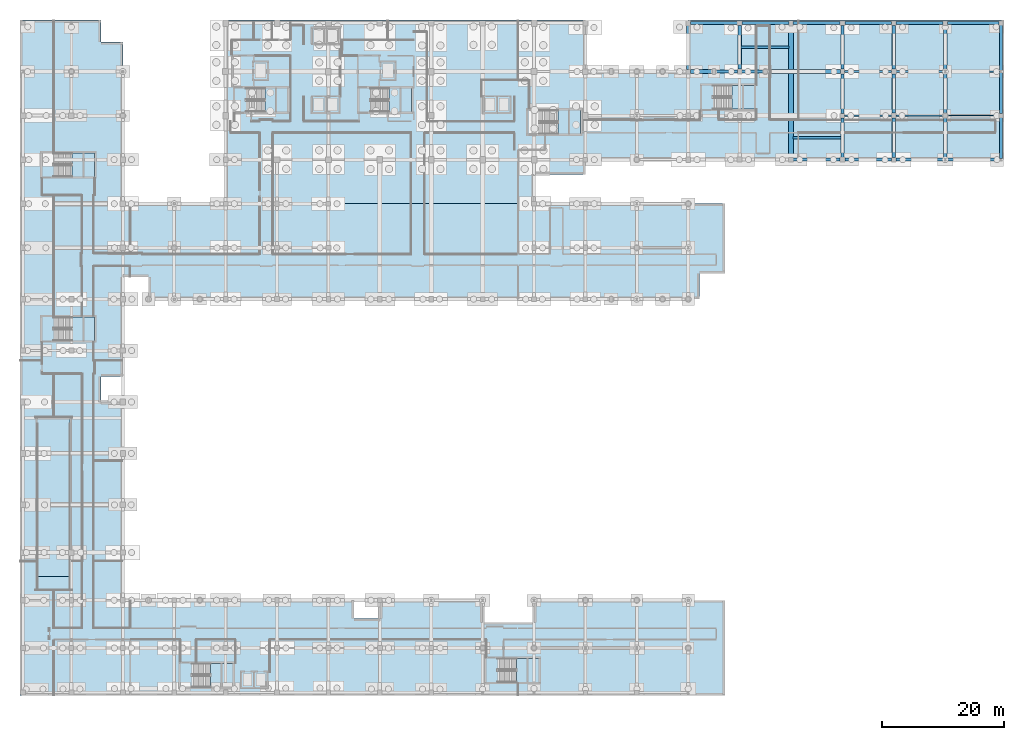
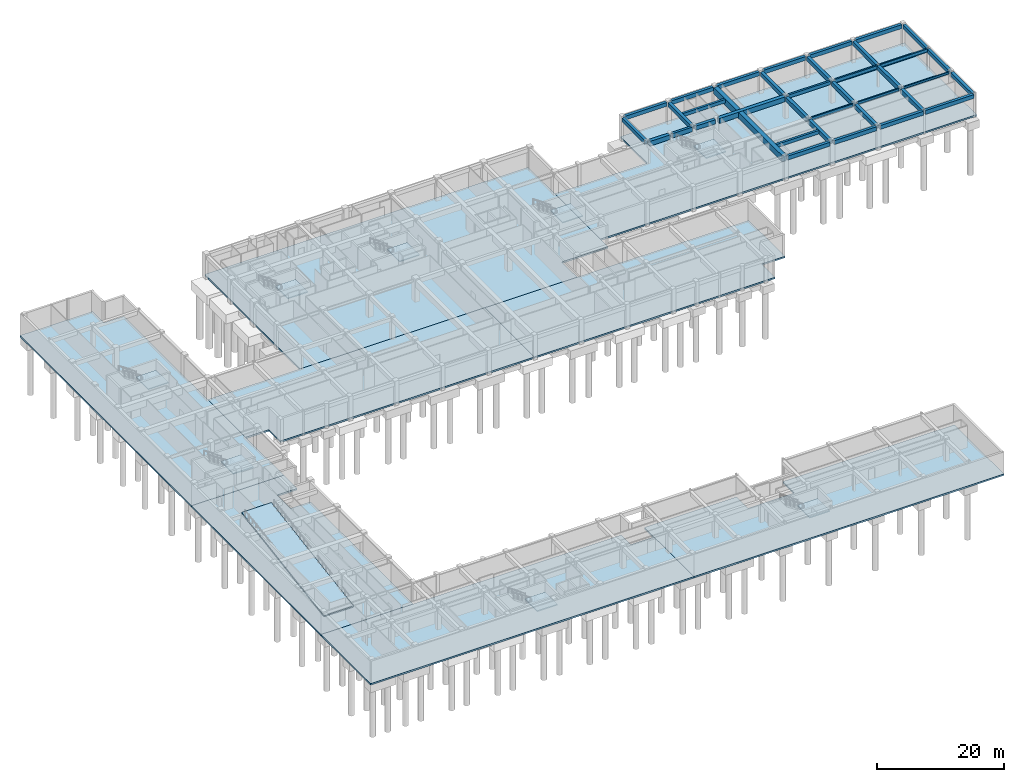
# One storey, part 22 of 42: 37 beams, 17 slabs, 8 elements without a shape of their own.
"""IFC4 building model written with IfcOpenShell, lengths in metres."""

from ifc_helpers import new_model, si_unit, direction, frame, origin, origin_2d, place, context, subcontext, project, spatial, polyline, rectangle, i_section, outline, extrude, material, layer, layer_set, material_profile, profile_set, type_object, element, aggregate, save


model = new_model("IFC4")

# Units and contexts
model_context = context("Model", 3, precision=1e-05, world=origin(), true_north=direction((0.0, 1.0)))
body_context = subcontext(model_context, "Body", "Model", "MODEL_VIEW")
ifc_project = project(units=[si_unit("LENGTHUNIT", "METRE"), si_unit("AREAUNIT", "SQUARE_METRE"), si_unit("VOLUMEUNIT", "CUBIC_METRE"), si_unit("PLANEANGLEUNIT", "RADIAN"), si_unit("MASSUNIT", "GRAM", prefix="KILO")], contexts=[model_context])

# Site, building, storey
site_placement = place(None, origin())
site = spatial("IfcSite", under=ifc_project, at=site_placement, CompositionType="ELEMENT")
building_placement = place(site_placement, origin())
building = spatial("IfcBuilding", under=site, at=building_placement, Name="Quendrovan Civic Courthouse", CompositionType="ELEMENT")
storey_placement = place(building_placement, frame((0.0, 0.0, -4.5)))
storey = spatial("IfcBuildingStorey", under=building, at=storey_placement, Name="B1", CompositionType="ELEMENT", Elevation=-4.5)

# Beams
ifc_material_1 = material(Name="Post-tensioned concrete C50/60", Category="concrete")
ifc_material_profile_1 = material_profile(ifc_material_1, rectangle(XDim=0.75, YDim=1.199951171875, at=origin_2d()), Name="PT-GIRD-750x1200")
ifc_profile_set_1 = profile_set([ifc_material_profile_1], Name="Post-tensioned concrete C50/60")
beam_type_1 = type_object("IfcBeamType", Name="BM-PT1200", PredefinedType="BEAM", material=ifc_profile_set_1)
beam_1_placement = place(storey_placement, frame((126.0, 87.955078125, 3.6201171875), z_axis=(0.0, 1.0, 0.0), x_axis=(-1.0, 0.0, 0.0)))
element("IfcBeam", 1, at=beam_1_placement, inside=storey, type_object=beam_type_1, Name="B1 Girder Y0222", PredefinedType="BEAM", context=body_context, shape_type="SweptSolid", body=[
    extrude(rectangle(XDim=0.75, YDim=1.199951171875, at=origin_2d()), origin(), (0.0, 0.0, 1.0), 21.5400390625),
])
ifc_material_profile_2 = material_profile(ifc_material_1, rectangle(XDim=0.64990234375, YDim=0.949951171875, at=origin_2d()), Name="PT-GIRD-650x950")
ifc_profile_set_2 = profile_set([ifc_material_profile_2], Name="Post-tensioned concrete C50/60")
beam_type_2 = type_object("IfcBeamType", Name="BM-PT950", PredefinedType="BEAM", material=ifc_profile_set_2)
beam_2_placement = place(storey_placement, frame((122.155029296875, 102.0, 3.7451171875), z_axis=(1.0, 0.0, 0.0), x_axis=(0.0, 1.0, 0.0)))
element("IfcBeam", 2, at=beam_2_placement, inside=storey, type_object=beam_type_2, Name="B1 Girder X0114", PredefinedType="BEAM", context=body_context, shape_type="SweptSolid", body=[
    extrude(rectangle(XDim=0.64990234375, YDim=0.949951171875, at=origin_2d()), origin(), (0.0, 0.0, 1.0), 11.9150390625),
])
ifc_material_2 = material(Name="Concrete C40/50", Category="concrete")
ifc_material_profile_3 = material_profile(ifc_material_2, rectangle(XDim=0.39990234375, YDim=0.64990234375, at=origin_2d()), Name="RC-BM-400x650")
ifc_profile_set_3 = profile_set([ifc_material_profile_3], Name="Concrete C40/50")
beam_type_3 = type_object("IfcBeamType", Name="BM-RC650", PredefinedType="JOIST", material=ifc_profile_set_3)
for number, where, z_axis, x_axis, name in (
    (3, (117.85498046875, 105.949951171875, 3.89501953125), (1.0, 0.0, 0.0), (0.0, 1.0, 0.0), "B1 Secondary Joist 0235"),
    (4, (126.35498046875, 91.21240234375, 3.89501953125), (1.0, 0.0, 0.0), (0.0, 1.0, 0.0), "B1 Secondary Joist 0236"),
):
    element("IfcBeam", number, at=place(storey_placement, frame(where, z_axis=z_axis, x_axis=x_axis)), inside=storey, type_object=beam_type_3, Name=name, PredefinedType="JOIST", context=body_context, shape_type="SweptSolid", body=[
        extrude(rectangle(XDim=0.39990234375, YDim=0.64990234375, at=origin_2d()), origin(), (0.0, 0.0, 1.0), 7.7900390625),
    ])
ifc_material_profile_4 = material_profile(ifc_material_2, rectangle(XDim=0.35009765625, YDim=0.64990234375, at=origin_2d()), Name="RC-BM-350x650")
ifc_profile_set_4 = profile_set([ifc_material_profile_4], Name="Concrete C40/50")
beam_type_4 = type_object("IfcBeamType", Name="BM-RC650B", PredefinedType="BEAM", material=ifc_profile_set_4)
beam_3_placement = place(storey_placement, frame((134.72998046875, 102.0, 3.89501953125), z_axis=(1.0, 0.0, 0.0), x_axis=(0.0, 1.0, 0.0)))
element("IfcBeam", 5, at=beam_3_placement, inside=storey, type_object=beam_type_4, Name="B1 Girder X0115", PredefinedType="BEAM", context=body_context, shape_type="SweptSolid", body=[
    extrude(rectangle(XDim=0.35009765625, YDim=0.64990234375, at=origin_2d()), origin(), (0.0, 0.0, 1.0), 7.68994140625),
])
ifc_material_profile_5 = material_profile(ifc_material_2, rectangle(XDim=0.5, YDim=0.75, at=origin_2d()), Name="RC-BM-500x750")
ifc_profile_set_5 = profile_set([ifc_material_profile_5], Name="Concrete C40/50")
beam_type_5 = type_object("IfcBeamType", Name="BM-RC750", PredefinedType="SPANDREL", material=ifc_profile_set_5)
for number, where, z_axis, x_axis, name in (
    (6, (126.35498046875, 87.60009765625, 3.844970703125), (1.0, 0.0, 0.0), (0.0, 1.0, 0.0), "B1 Girder X0088"),
    (7, (134.780029296875, 87.60009765625, 3.844970703125), (1.0, 0.0, 0.0), (0.0, 1.0, 0.0), "B1 Girder X0089"),
):
    element("IfcBeam", number, at=place(storey_placement, frame(where, z_axis=z_axis, x_axis=x_axis)), inside=storey, type_object=beam_type_5, Name=name, PredefinedType="SPANDREL", context=body_context, shape_type="SweptSolid", body=[
        extrude(rectangle(XDim=0.5, YDim=0.75, at=origin_2d()), origin(), (0.0, 0.0, 1.0), 7.6650390625),
    ])
beam_4_placement = place(storey_placement, frame((143.155029296875, 87.60009765625, 3.844970703125), z_axis=(1.0, 0.0, 0.0), x_axis=(0.0, 1.0, 0.0)))
element("IfcBeam", 8, at=beam_4_placement, inside=storey, type_object=beam_type_5, Name="B1 Girder X0090", PredefinedType="SPANDREL", context=body_context, shape_type="SweptSolid", body=[
    extrude(rectangle(XDim=0.5, YDim=0.75, at=origin_2d()), origin(), (0.0, 0.0, 1.0), 7.8779296875),
])
beam_5_placement = place(storey_placement, frame((151.366943359375, 87.60009765625, 3.844970703125), z_axis=(1.0, 0.0, 0.0), x_axis=(0.0, 1.0, 0.0)))
element("IfcBeam", 9, at=beam_5_placement, inside=storey, type_object=beam_type_5, Name="B1 Girder X0091", PredefinedType="SPANDREL", context=body_context, shape_type="SweptSolid", body=[
    extrude(rectangle(XDim=0.5, YDim=0.75, at=origin_2d()), origin(), (0.0, 0.0, 1.0), 8.76611328125),
])
for number, where, z_axis, x_axis, name in (
    (10, (109.530029296875, 109.89990234375, 3.844970703125), (1.0, 0.0, 0.0), (0.0, 1.0, 0.0), "B1 Girder X0125"),
    (11, (117.97998046875, 109.89990234375, 3.844970703125), (1.0, 0.0, 0.0), (0.0, 1.0, 0.0), "B1 Girder X0126"),
    (12, (126.330078125, 109.89990234375, 3.844970703125), (1.0, 0.0, 0.0), (0.0, 1.0, 0.0), "B1 Girder X0127"),
):
    element("IfcBeam", number, at=place(storey_placement, frame(where, z_axis=z_axis, x_axis=x_axis)), inside=storey, type_object=beam_type_5, Name=name, PredefinedType="SPANDREL", context=body_context, shape_type="SweptSolid", body=[
        extrude(rectangle(XDim=0.5, YDim=0.75, at=origin_2d()), origin(), (0.0, 0.0, 1.0), 7.68994140625),
    ])
beam_6_placement = place(storey_placement, frame((134.780029296875, 109.89990234375, 3.844970703125), z_axis=(1.0, 0.0, 0.0), x_axis=(0.0, 1.0, 0.0)))
element("IfcBeam", 13, at=beam_6_placement, inside=storey, type_object=beam_type_5, Name="B1 Girder X0128", PredefinedType="SPANDREL", context=body_context, shape_type="SweptSolid", body=[
    extrude(rectangle(XDim=0.5, YDim=0.75, at=origin_2d()), origin(), (0.0, 0.0, 1.0), 7.6650390625),
])
beam_7_placement = place(storey_placement, frame((143.155029296875, 109.89990234375, 3.844970703125), z_axis=(1.0, 0.0, 0.0), x_axis=(0.0, 1.0, 0.0)))
element("IfcBeam", 14, at=beam_7_placement, inside=storey, type_object=beam_type_5, Name="B1 Girder X0129", PredefinedType="SPANDREL", context=body_context, shape_type="SweptSolid", body=[
    extrude(rectangle(XDim=0.5, YDim=0.75, at=origin_2d()), origin(), (0.0, 0.0, 1.0), 7.715087890625),
])
beam_8_placement = place(storey_placement, frame((151.530029296875, 109.89990234375, 3.844970703125), z_axis=(1.0, 0.0, 0.0), x_axis=(0.0, 1.0, 0.0)))
element("IfcBeam", 15, at=beam_8_placement, inside=storey, type_object=beam_type_5, Name="B1 Girder X0130", PredefinedType="SPANDREL", context=body_context, shape_type="SweptSolid", body=[
    extrude(rectangle(XDim=0.5, YDim=0.75, at=origin_2d()), origin(), (0.0, 0.0, 1.0), 8.43994140625),
])
beam_9_placement = place(storey_placement, frame((109.199951171875, 102.35498046875, 3.844970703125), z_axis=(0.0, 1.0, 0.0), x_axis=(-1.0, 0.0, 0.0)))
element("IfcBeam", 16, at=beam_9_placement, inside=storey, type_object=beam_type_5, Name="B1 Girder Y0219", PredefinedType="SPANDREL", context=body_context, shape_type="SweptSolid", body=[
    extrude(rectangle(XDim=0.5, YDim=0.75, at=origin_2d()), origin(), (0.0, 0.0, 1.0), 7.14013671875),
])
beam_10_placement = place(storey_placement, frame((160.300048828125, 87.76611328125, 3.844970703125), z_axis=(0.0, 1.0, 0.0), x_axis=(-1.0, 0.0, 0.0)))
element("IfcBeam", 17, at=beam_10_placement, inside=storey, type_object=beam_type_5, Name="B1 Girder Y0232", PredefinedType="SPANDREL", context=body_context, shape_type="SweptSolid", body=[
    extrude(rectangle(XDim=0.5, YDim=0.75, at=origin_2d()), origin(), (0.0, 0.0, 1.0), 6.703857421875),
])
beam_11_placement = place(storey_placement, frame((160.300048828125, 95.1298828125, 3.844970703125), z_axis=(0.0, 1.0, 0.0), x_axis=(-1.0, 0.0, 0.0)))
element("IfcBeam", 18, at=beam_11_placement, inside=storey, type_object=beam_type_5, Name="B1 Girder Y0233", PredefinedType="SPANDREL", context=body_context, shape_type="SweptSolid", body=[
    extrude(rectangle(XDim=0.5, YDim=0.75, at=origin_2d()), origin(), (0.0, 0.0, 1.0), 6.7041015625),
])
beam_12_placement = place(storey_placement, frame((160.300048828125, 102.166015625, 3.844970703125), z_axis=(0.0, 1.0, 0.0), x_axis=(-1.0, 0.0, 0.0)))
element("IfcBeam", 19, at=beam_12_placement, inside=storey, type_object=beam_type_5, Name="B1 Girder Y0234", PredefinedType="SPANDREL", context=body_context, shape_type="SweptSolid", body=[
    extrude(rectangle(XDim=0.5, YDim=0.75, at=origin_2d()), origin(), (0.0, 0.0, 1.0), 7.404052734375),
])
ifc_material_profile_6 = material_profile(ifc_material_2, rectangle(XDim=0.550048828125, YDim=0.800048828125, at=origin_2d()), Name="RC-BM-550x800")
ifc_profile_set_6 = profile_set([ifc_material_profile_6], Name="Concrete C40/50")
beam_type_6 = type_object("IfcBeamType", Name="BM-RC800", PredefinedType="BEAM", material=ifc_profile_set_6)
beam_13_placement = place(storey_placement, frame((117.929931640625, 102.0, 3.820068359375), z_axis=(1.0, 0.0, 0.0), x_axis=(0.0, 1.0, 0.0)))
element("IfcBeam", 20, at=beam_13_placement, inside=storey, type_object=beam_type_6, Name="B1 Girder X0113", PredefinedType="BEAM", context=body_context, shape_type="SweptSolid", body=[
    extrude(rectangle(XDim=0.550048828125, YDim=0.800048828125, at=origin_2d()), origin(), (0.0, 0.0, 1.0), 3.51513671875),
])
beam_14_placement = place(storey_placement, frame((117.60009765625, 102.405029296875, 3.820068359375), z_axis=(0.0, 1.0, 0.0), x_axis=(-1.0, 0.0, 0.0)))
element("IfcBeam", 21, at=beam_14_placement, inside=storey, type_object=beam_type_6, Name="B1 Girder Y0221", PredefinedType="BEAM", context=body_context, shape_type="SweptSolid", body=[
    extrude(rectangle(XDim=0.550048828125, YDim=0.800048828125, at=origin_2d()), origin(), (0.0, 0.0, 1.0), 7.114990234375),
])
beam_15_placement = place(storey_placement, frame((134.39990234375, 87.97998046875, 3.820068359375), z_axis=(0.0, 1.0, 0.0), x_axis=(-1.0, 0.0, 0.0)))
element("IfcBeam", 22, at=beam_15_placement, inside=storey, type_object=beam_type_6, Name="B1 Girder Y0223", PredefinedType="BEAM", context=body_context, shape_type="SweptSolid", body=[
    extrude(rectangle(XDim=0.550048828125, YDim=0.800048828125, at=origin_2d()), origin(), (0.0, 0.0, 1.0), 6.465087890625),
])
beam_16_placement = place(storey_placement, frame((134.39990234375, 95.155029296875, 3.820068359375), z_axis=(0.0, 1.0, 0.0), x_axis=(-1.0, 0.0, 0.0)))
element("IfcBeam", 23, at=beam_16_placement, inside=storey, type_object=beam_type_6, Name="B1 Girder Y0224", PredefinedType="BEAM", context=body_context, shape_type="SweptSolid", body=[
    extrude(rectangle(XDim=0.550048828125, YDim=0.800048828125, at=origin_2d()), origin(), (0.0, 0.0, 1.0), 6.43994140625),
])
beam_17_placement = place(storey_placement, frame((134.39990234375, 102.405029296875, 3.820068359375), z_axis=(0.0, 1.0, 0.0), x_axis=(-1.0, 0.0, 0.0)))
element("IfcBeam", 24, at=beam_17_placement, inside=storey, type_object=beam_type_6, Name="B1 Girder Y0225", PredefinedType="BEAM", context=body_context, shape_type="SweptSolid", body=[
    extrude(rectangle(XDim=0.550048828125, YDim=0.800048828125, at=origin_2d()), origin(), (0.0, 0.0, 1.0), 7.114990234375),
])
beam_18_placement = place(storey_placement, frame((142.800048828125, 87.955078125, 3.820068359375), z_axis=(0.0, 1.0, 0.0), x_axis=(-1.0, 0.0, 0.0)))
element("IfcBeam", 25, at=beam_18_placement, inside=storey, type_object=beam_type_6, Name="B1 Girder Y0226", PredefinedType="BEAM", context=body_context, shape_type="SweptSolid", body=[
    extrude(rectangle(XDim=0.550048828125, YDim=0.800048828125, at=origin_2d()), origin(), (0.0, 0.0, 1.0), 6.43994140625),
])
beam_19_placement = place(storey_placement, frame((142.800048828125, 95.205078125, 3.820068359375), z_axis=(0.0, 1.0, 0.0), x_axis=(-1.0, 0.0, 0.0)))
element("IfcBeam", 26, at=beam_19_placement, inside=storey, type_object=beam_type_6, Name="B1 Girder Y0227", PredefinedType="BEAM", context=body_context, shape_type="SweptSolid", body=[
    extrude(rectangle(XDim=0.550048828125, YDim=0.800048828125, at=origin_2d()), origin(), (0.0, 0.0, 1.0), 6.4150390625),
])
beam_20_placement = place(storey_placement, frame((142.800048828125, 102.3798828125, 3.820068359375), z_axis=(0.0, 1.0, 0.0), x_axis=(-1.0, 0.0, 0.0)))
element("IfcBeam", 27, at=beam_20_placement, inside=storey, type_object=beam_type_6, Name="B1 Girder Y0228", PredefinedType="BEAM", context=body_context, shape_type="SweptSolid", body=[
    extrude(rectangle(XDim=0.550048828125, YDim=0.800048828125, at=origin_2d()), origin(), (0.0, 0.0, 1.0), 7.1650390625),
])
beam_21_placement = place(storey_placement, frame((151.199951171875, 87.76611328125, 3.820068359375), z_axis=(0.0, 1.0, 0.0), x_axis=(-1.0, 0.0, 0.0)))
element("IfcBeam", 28, at=beam_21_placement, inside=storey, type_object=beam_type_6, Name="B1 Girder Y0229", PredefinedType="BEAM", context=body_context, shape_type="SweptSolid", body=[
    extrude(rectangle(XDim=0.550048828125, YDim=0.800048828125, at=origin_2d()), origin(), (0.0, 0.0, 1.0), 6.703857421875),
])
beam_22_placement = place(storey_placement, frame((151.199951171875, 95.1298828125, 3.820068359375), z_axis=(0.0, 1.0, 0.0), x_axis=(-1.0, 0.0, 0.0)))
element("IfcBeam", 29, at=beam_22_placement, inside=storey, type_object=beam_type_6, Name="B1 Girder Y0230", PredefinedType="BEAM", context=body_context, shape_type="SweptSolid", body=[
    extrude(rectangle(XDim=0.550048828125, YDim=0.800048828125, at=origin_2d()), origin(), (0.0, 0.0, 1.0), 6.7041015625),
])
beam_23_placement = place(storey_placement, frame((151.199951171875, 102.166015625, 3.820068359375), z_axis=(0.0, 1.0, 0.0), x_axis=(-1.0, 0.0, 0.0)))
element("IfcBeam", 30, at=beam_23_placement, inside=storey, type_object=beam_type_6, Name="B1 Girder Y0231", PredefinedType="BEAM", context=body_context, shape_type="SweptSolid", body=[
    extrude(rectangle(XDim=0.550048828125, YDim=0.800048828125, at=origin_2d()), origin(), (0.0, 0.0, 1.0), 7.404052734375),
])
ifc_material_3 = material(Name="Concrete C45/55", Category="concrete")
ifc_material_profile_7 = material_profile(ifc_material_3, rectangle(XDim=0.449951171875, YDim=0.85009765625, at=origin_2d()), Name="RC-BM-450x850")
ifc_profile_set_7 = profile_set([ifc_material_profile_7], Name="Concrete C45/55")
beam_type_7 = type_object("IfcBeamType", Name="BM-RC850", PredefinedType="BEAM", material=ifc_profile_set_7)
beam_24_placement = place(storey_placement, frame((113.655029296875, 102.0, 3.794921875), z_axis=(1.0, 0.0, 0.0), x_axis=(0.0, 1.0, 0.0)))
element("IfcBeam", 31, at=beam_24_placement, inside=storey, type_object=beam_type_7, Name="B1 Girder X0112", PredefinedType="BEAM", context=body_context, shape_type="SweptSolid", body=[
    extrude(rectangle(XDim=0.449951171875, YDim=0.85009765625, at=origin_2d()), origin(), (0.0, 0.0, 1.0), 3.614990234375),
])
ifc_material_profile_8 = material_profile(ifc_material_2, rectangle(XDim=0.60009765625, YDim=0.89990234375, at=origin_2d()), Name="RC-BM-600x900")
ifc_profile_set_8 = profile_set([ifc_material_profile_8], Name="Concrete C40/50")
beam_type_8 = type_object("IfcBeamType", Name="BM-RC900", PredefinedType="BEAM", material=ifc_profile_set_8)
beam_25_placement = place(storey_placement, frame((109.554931640625, 102.0, 3.77001953125), z_axis=(1.0, 0.0, 0.0), x_axis=(0.0, 1.0, 0.0)))
element("IfcBeam", 32, at=beam_25_placement, inside=storey, type_object=beam_type_8, Name="B1 Girder X0111", PredefinedType="BEAM", context=body_context, shape_type="SweptSolid", body=[
    extrude(rectangle(XDim=0.60009765625, YDim=0.89990234375, at=origin_2d()), origin(), (0.0, 0.0, 1.0), 3.590087890625),
])
ifc_material_4 = material(Name="Steel ASTM A992 Grade 50", Category="steel")
ifc_material_profile_9 = material_profile(ifc_material_4, i_section(OverallWidth=0.18994140625, OverallDepth=0.45703125, WebThickness=0.009033203125, FlangeThickness=0.014404296875, at=origin_2d()), Name="W18X50")
ifc_profile_set_9 = profile_set([ifc_material_profile_9], Name="Steel ASTM A992 Grade 50")
beam_type_9 = type_object("IfcBeamType", Name="BM-STL-W18", PredefinedType="JOIST", material=ifc_profile_set_9)
beam_26_placement = place(storey_placement, frame((151.530029296875, 94.800048828125, 3.991455078125), z_axis=(1.0, 0.0, 0.0), x_axis=(0.0, 1.0, 0.0)))
element("IfcBeam", 33, at=beam_26_placement, inside=storey, type_object=beam_type_9, Name="B1 Girder X0100", PredefinedType="JOIST", context=body_context, shape_type="SweptSolid", body=[
    extrude(i_section(OverallWidth=0.18994140625, OverallDepth=0.45703125, WebThickness=0.009033203125, FlangeThickness=0.014404296875, at=origin_2d()), origin(), (0.0, 0.0, 1.0), 8.43994140625),
])
ifc_material_profile_10 = material_profile(ifc_material_4, i_section(OverallWidth=0.208984375, OverallDepth=0.532958984375, WebThickness=0.01025390625, FlangeThickness=0.015625, at=origin_2d()), Name="W21X62")
ifc_profile_set_10 = profile_set([ifc_material_profile_10], Name="Steel ASTM A992 Grade 50")
beam_type_10 = type_object("IfcBeamType", Name="BM-STL-W21", PredefinedType="JOIST", material=ifc_profile_set_10)
beam_27_placement = place(storey_placement, frame((143.1298828125, 94.800048828125, 3.95361328125), z_axis=(1.0, 0.0, 0.0), x_axis=(0.0, 1.0, 0.0)))
element("IfcBeam", 34, at=beam_27_placement, inside=storey, type_object=beam_type_10, Name="B1 Girder X0099", PredefinedType="JOIST", context=body_context, shape_type="SweptSolid", body=[
    extrude(i_section(OverallWidth=0.208984375, OverallDepth=0.532958984375, WebThickness=0.01025390625, FlangeThickness=0.015625, at=origin_2d()), origin(), (0.0, 0.0, 1.0), 7.740234375),
])
ifc_material_profile_11 = material_profile(ifc_material_4, i_section(OverallWidth=0.22802734375, OverallDepth=0.60693359375, WebThickness=0.01123046875, FlangeThickness=0.017333984375, at=origin_2d()), Name="W24X76")
ifc_profile_set_11 = profile_set([ifc_material_profile_11], Name="Steel ASTM A992 Grade 50")
beam_type_11 = type_object("IfcBeamType", Name="BM-STL-W24", PredefinedType="BEAM", material=ifc_profile_set_11)
beam_28_placement = place(storey_placement, frame((134.7548828125, 94.800048828125, 3.91650390625), z_axis=(1.0, 0.0, 0.0), x_axis=(0.0, 1.0, 0.0)))
element("IfcBeam", 35, at=beam_28_placement, inside=storey, type_object=beam_type_11, Name="B1 Girder X0098", PredefinedType="BEAM", context=body_context, shape_type="SweptSolid", body=[
    extrude(i_section(OverallWidth=0.22802734375, OverallDepth=0.60693359375, WebThickness=0.01123046875, FlangeThickness=0.017333984375, at=origin_2d()), origin(), (0.0, 0.0, 1.0), 7.715087890625),
])
ifc_material_profile_12 = material_profile(ifc_material_4, i_section(OverallWidth=0.25390625, OverallDepth=0.68408203125, WebThickness=0.012451171875, FlangeThickness=0.018798828125, at=origin_2d()), Name="W27X94")
ifc_profile_set_12 = profile_set([ifc_material_profile_12], Name="Steel ASTM A992 Grade 50")
beam_type_12 = type_object("IfcBeamType", Name="BM-STL-W27", PredefinedType="BEAM", material=ifc_profile_set_12)
beam_29_placement = place(storey_placement, frame((151.366943359375, 102.0, 3.8779296875), z_axis=(1.0, 0.0, 0.0), x_axis=(0.0, 1.0, 0.0)))
element("IfcBeam", 36, at=beam_29_placement, inside=storey, type_object=beam_type_12, Name="B1 Girder X0117", PredefinedType="BEAM", context=body_context, shape_type="SweptSolid", body=[
    extrude(i_section(OverallWidth=0.25390625, OverallDepth=0.68408203125, WebThickness=0.012451171875, FlangeThickness=0.018798828125, at=origin_2d()), origin(), (0.0, 0.0, 1.0), 8.76611328125),
])
ifc_material_profile_13 = material_profile(ifc_material_4, i_section(OverallWidth=0.26611328125, OverallDepth=0.758056640625, WebThickness=0.013916015625, FlangeThickness=0.019287109375, at=origin_2d()), Name="W30X108")
ifc_profile_set_13 = profile_set([ifc_material_profile_13], Name="Steel ASTM A992 Grade 50")
beam_type_13 = type_object("IfcBeamType", Name="BM-STL-W30", PredefinedType="BEAM", material=ifc_profile_set_13)
beam_30_placement = place(storey_placement, frame((143.179931640625, 102.0, 3.841064453125), z_axis=(1.0, 0.0, 0.0), x_axis=(0.0, 1.0, 0.0)))
element("IfcBeam", 37, at=beam_30_placement, inside=storey, type_object=beam_type_13, Name="B1 Girder X0116", PredefinedType="BEAM", context=body_context, shape_type="SweptSolid", body=[
    extrude(i_section(OverallWidth=0.26611328125, OverallDepth=0.758056640625, WebThickness=0.013916015625, FlangeThickness=0.019287109375, at=origin_2d()), origin(), (0.0, 0.0, 1.0), 7.85302734375),
])

# Slabs
ifc_material_5 = material(Name="Concrete C35/45", Category="concrete")
ifc_layer_1 = layer(ifc_material_5, 0.300048828125, Name="Concrete C35/45")
ifc_layer_set_1 = layer_set([ifc_layer_1], Name="Concrete C35/45")
slab_type_1 = type_object("IfcSlabType", Name="SLB-BASE-300", PredefinedType="BASESLAB", material=ifc_layer_set_1)
slab_1_placement = place(storey_placement, frame((0.0, 0.0, -0.300048828125)))
element("IfcSlab", 38, at=slab_1_placement, inside=storey, type_object=slab_type_1, Name="B1 Structural Floor Slab V5W", PredefinedType="BASESLAB", context=body_context, shape_type="SweptSolid", body=[
    extrude(outline(polyline([(58.800048828125, 0.0), (0.0, 0.0), (0.0, 15.60009765625), (54.60009765625, 15.60009765625), (54.60009765625, 12.60009765625), (58.800048828125, 12.60009765625), (58.800048828125, 0.0)])), origin(), (0.0, 0.0, 1.0), 0.300048828125),
])
slab_2_placement = place(storey_placement, frame((0.0, 0.0, -0.300048828125)))
element("IfcSlab", 39, at=slab_2_placement, inside=storey, type_object=slab_type_1, Name="B1 Structural Floor Slab V5E", PredefinedType="BASESLAB", context=body_context, shape_type="SweptSolid", body=[
    extrude(outline(polyline([(115.199951171875, 15.60009765625), (115.199951171875, 0.0), (58.800048828125, 0.0), (58.800048828125, 15.60009765625), (75.60009765625, 15.60009765625), (75.60009765625, 12.0), (84.0, 12.0), (84.0, 15.60009765625), (115.199951171875, 15.60009765625)])), origin(), (0.0, 0.0, 1.0), 0.300048828125),
])
slab_3_placement = place(storey_placement, frame((0.0, 0.0, -0.300048828125)))
element("IfcSlab", 40, at=slab_3_placement, inside=storey, type_object=slab_type_1, Name="B1 Structural Floor Slab V4S", PredefinedType="BASESLAB", context=body_context, shape_type="SweptSolid", body=[
    extrude(outline(polyline([(16.800048828125, 15.60009765625), (0.0, 15.60009765625), (0.0, 56.39990234375), (16.800048828125, 56.39990234375), (16.800048828125, 52.199951171875), (13.199951171875, 52.199951171875), (13.199951171875, 48.0), (16.800048828125, 48.0), (16.800048828125, 15.60009765625)])), origin(), (0.0, 0.0, 1.0), 0.300048828125),
])
slab_4_placement = place(storey_placement, frame((0.0, 0.0, -0.300048828125)))
element("IfcSlab", 41, at=slab_4_placement, inside=storey, type_object=slab_type_1, Name="B1 Structural Floor Slab V4N", PredefinedType="BASESLAB", context=body_context, shape_type="SweptSolid", body=[
    extrude(outline(polyline([(16.800048828125, 56.39990234375), (0.0, 56.39990234375), (0.0, 110.39990234375), (13.199951171875, 110.39990234375), (13.199951171875, 106.800048828125), (16.800048828125, 106.800048828125), (16.800048828125, 56.39990234375)])), origin(), (0.0, 0.0, 1.0), 0.300048828125),
])
slab_5_placement = place(storey_placement, frame((0.0, 0.0, -0.300048828125)))
element("IfcSlab", 42, at=slab_5_placement, inside=storey, type_object=slab_type_1, Name="B1 Structural Floor Slab V3W", PredefinedType="BASESLAB", context=body_context, shape_type="SweptSolid", body=[
    extrude(outline(polyline([(16.800048828125, 80.39990234375), (67.199951171875, 80.39990234375), (67.199951171875, 64.800048828125), (21.0, 64.800048828125), (21.0, 68.39990234375), (16.800048828125, 68.39990234375), (16.800048828125, 80.39990234375)])), origin(), (0.0, 0.0, 1.0), 0.300048828125),
])
slab_6_placement = place(storey_placement, frame((0.0, 0.0, -0.300048828125)))
element("IfcSlab", 43, at=slab_6_placement, inside=storey, type_object=slab_type_1, Name="B1 Structural Floor Slab V3E", PredefinedType="BASESLAB", context=body_context, shape_type="SweptSolid", body=[
    extrude(outline(polyline([(67.199951171875, 64.800048828125), (67.199951171875, 80.39990234375), (115.199951171875, 80.39990234375), (115.199951171875, 69.0), (111.0, 69.0), (111.0, 64.800048828125), (67.199951171875, 64.800048828125)])), origin(), (0.0, 0.0, 1.0), 0.300048828125),
])
slab_7_placement = place(storey_placement, frame((0.0, 0.0, -0.300048828125)))
element("IfcSlab", 44, at=slab_7_placement, inside=storey, type_object=slab_type_1, Name="B1 Structural Floor Slab V2N", PredefinedType="BASESLAB", context=body_context, shape_type="SweptSolid", body=[
    extrude(outline(polyline([(33.60009765625, 80.39990234375), (33.60009765625, 110.39990234375), (92.39990234375, 110.39990234375), (92.39990234375, 85.199951171875), (84.0, 85.199951171875), (84.0, 80.39990234375), (33.60009765625, 80.39990234375)])), origin(), (0.0, 0.0, 1.0), 0.300048828125),
])
slab_8_placement = place(storey_placement, frame((0.0, 0.0, -0.300048828125)))
element("IfcSlab", 45, at=slab_8_placement, inside=storey, type_object=slab_type_1, Name="B1 Structural Floor Slab V1E", PredefinedType="BASESLAB", context=body_context, shape_type="SweptSolid", body=[
    extrude(outline(polyline([(160.800048828125, 110.39990234375), (160.800048828125, 87.60009765625), (92.39990234375, 87.60009765625), (92.39990234375, 102.0), (109.199951171875, 102.0), (109.199951171875, 110.39990234375), (160.800048828125, 110.39990234375)])), origin(), (0.0, 0.0, 1.0), 0.300048828125),
])
ifc_layer_2 = layer(ifc_material_2, 0.25, Name="Concrete C40/50")
ifc_layer_set_2 = layer_set([ifc_layer_2], Name="Concrete C40/50")
slab_type_2 = type_object("IfcSlabType", Name="SLB-RAMP-250", PredefinedType="FLOOR", material=ifc_layer_set_2)
slab_9_placement = place(storey_placement, frame((2.800048828125, 19.5, 0.27001953125), z_axis=(0.0, -0.158091341257, 0.987424492212), x_axis=(1.0, 0.0, 0.0)))
element("IfcSlab", 46, at=slab_9_placement, inside=storey, type_object=slab_type_2, Name="B1 Exterior Driveway Vehicle Ramp Structural Slab R1", PredefinedType="FLOOR", context=body_context, shape_type="SweptSolid", body=[
    extrude(outline(polyline([(0.0, 0.0), (5.39990234375, 0.0), (5.39990234375, 26.2500293231982), (0.0, 26.2500293231982), (0.0, 0.0)])), origin(), (0.0, 0.0, -1.0), 0.25),
])

# Stair, slab
stair_type_1 = type_object("IfcStairType", Name="STR-CORE-4500", PredefinedType="HALF_TURN_STAIR", material=ifc_material_2)
stair_1_placement = place(storey_placement, origin())
stair_1 = element("IfcStair", 47, at=stair_1_placement, inside=storey, type_object=stair_type_1, Name="B1 West Judicial and Public Exit Stair 1", PredefinedType="HALF_TURN_STAIR")
ifc_layer_3 = layer(ifc_material_2, 0.199951171875, Name="Concrete C40/50")
ifc_layer_set_3 = layer_set([ifc_layer_3], Name="Concrete C40/50")
slab_type_3 = type_object("IfcSlabType", Name="SLB-STAIR-LND200", PredefinedType="LANDING", material=ifc_layer_set_3)
slab_10_placement = place(storey_placement, frame((0.0, 0.0, 2.050048828125)))
slab_10 = element("IfcSlab", 48, at=slab_10_placement, type_object=slab_type_3, Name="ST1 landing 1", PredefinedType="LANDING", context=body_context, shape_type="SweptSolid", body=[
    extrude(outline(polyline([(40.030029296875, 95.39990234375), (43.699951171875, 95.39990234375), (43.699951171875, 99.280029296875), (40.030029296875, 99.280029296875), (40.030029296875, 95.39990234375)])), origin(), (0.0, 0.0, 1.0), 0.199951171875),
])
aggregate(stair_1, [slab_10])

stair_2_placement = place(storey_placement, origin())
stair_2 = element("IfcStair", 49, at=stair_2_placement, inside=storey, type_object=stair_type_1, Name="B1 Central Judicial and Firefighting Exit Stair 2", PredefinedType="HALF_TURN_STAIR")
slab_11_placement = place(storey_placement, frame((0.0, 0.0, 2.050048828125)))
slab_11 = element("IfcSlab", 50, at=slab_11_placement, type_object=slab_type_3, Name="ST2 landing 1", PredefinedType="LANDING", context=body_context, shape_type="SweptSolid", body=[
    extrude(outline(polyline([(60.330078125, 95.39990234375), (64.0, 95.39990234375), (64.0, 99.280029296875), (60.330078125, 99.280029296875), (60.330078125, 95.39990234375)])), origin(), (0.0, 0.0, 1.0), 0.199951171875),
])
aggregate(stair_2, [slab_11])

stair_3_placement = place(storey_placement, origin())
stair_3 = element("IfcStair", 51, at=stair_3_placement, inside=storey, type_object=stair_type_1, Name="B1 East Court Block Exit Stair 3", PredefinedType="HALF_TURN_STAIR")
slab_12_placement = place(storey_placement, frame((0.0, 0.0, 2.050048828125)))
slab_12 = element("IfcSlab", 52, at=slab_12_placement, type_object=slab_type_3, Name="ST3 landing 1", PredefinedType="LANDING", context=body_context, shape_type="SweptSolid", body=[
    extrude(outline(polyline([(87.929931640625, 91.800048828125), (91.60009765625, 91.800048828125), (91.60009765625, 95.679931640625), (87.929931640625, 95.679931640625), (87.929931640625, 91.800048828125)])), origin(), (0.0, 0.0, 1.0), 0.199951171875),
])
aggregate(stair_3, [slab_12])

stair_4_placement = place(storey_placement, origin())
stair_4 = element("IfcStair", 53, at=stair_4_placement, inside=storey, type_object=stair_type_1, Name="B1 Law Library Wing Exit Stair 4", PredefinedType="HALF_TURN_STAIR")
slab_13_placement = place(storey_placement, frame((0.0, 0.0, 2.050048828125)))
slab_13 = element("IfcSlab", 54, at=slab_13_placement, type_object=slab_type_3, Name="ST4 landing 1", PredefinedType="LANDING", context=body_context, shape_type="SweptSolid", body=[
    extrude(outline(polyline([(8.530029296875, 58.0), (12.199951171875, 58.0), (12.199951171875, 61.8798828125), (8.530029296875, 61.8798828125), (8.530029296875, 58.0)])), origin(), (0.0, 0.0, 1.0), 0.199951171875),
])
aggregate(stair_4, [slab_13])

stair_5_placement = place(storey_placement, origin())
stair_5 = element("IfcStair", 55, at=stair_5_placement, inside=storey, type_object=stair_type_1, Name="B1 Custody Wing Secure Exit Stair 5", PredefinedType="HALF_TURN_STAIR")
slab_14_placement = place(storey_placement, frame((0.0, 0.0, 2.050048828125)))
slab_14 = element("IfcSlab", 56, at=slab_14_placement, type_object=slab_type_3, Name="ST5 landing 1", PredefinedType="LANDING", context=body_context, shape_type="SweptSolid", body=[
    extrude(outline(polyline([(31.1298828125, 1.39990234375), (34.800048828125, 1.39990234375), (34.800048828125, 5.280029296875), (31.1298828125, 5.280029296875), (31.1298828125, 1.39990234375)])), origin(), (0.0, 0.0, 1.0), 0.199951171875),
])
aggregate(stair_5, [slab_14])

stair_6_placement = place(storey_placement, origin())
stair_6 = element("IfcStair", 57, at=stair_6_placement, inside=storey, type_object=stair_type_1, Name="B1 Ceremonial Pavilion Exit Stair 6", PredefinedType="HALF_TURN_STAIR")
slab_15_placement = place(storey_placement, frame((0.0, 0.0, 2.050048828125)))
slab_15 = element("IfcSlab", 58, at=slab_15_placement, type_object=slab_type_3, Name="ST6 landing 1", PredefinedType="LANDING", context=body_context, shape_type="SweptSolid", body=[
    extrude(outline(polyline([(116.330078125, 95.85009765625), (120.0, 95.85009765625), (120.0, 99.72998046875), (116.330078125, 99.72998046875), (116.330078125, 95.85009765625)])), origin(), (0.0, 0.0, 1.0), 0.199951171875),
])
aggregate(stair_6, [slab_15])

ifc_material_6 = material(Name="Precast concrete C45/55", Category="concrete")
stair_type_2 = type_object("IfcStairType", Name="STR-FEAT-4500", PredefinedType="HALF_TURN_STAIR", material=ifc_material_6)
stair_7_placement = place(storey_placement, origin())
stair_7 = element("IfcStair", 59, at=stair_7_placement, inside=storey, type_object=stair_type_2, Name="B1 South-East Registry and Custody Exit Stair 7", PredefinedType="HALF_TURN_STAIR")
slab_16_placement = place(storey_placement, frame((0.0, 0.0, 2.050048828125)))
slab_16 = element("IfcSlab", 60, at=slab_16_placement, type_object=slab_type_3, Name="ST7 landing 1", PredefinedType="LANDING", context=body_context, shape_type="SweptSolid", body=[
    extrude(outline(polyline([(81.1298828125, 2.199951171875), (84.800048828125, 2.199951171875), (84.800048828125, 6.080078125), (81.1298828125, 6.080078125), (81.1298828125, 2.199951171875)])), origin(), (0.0, 0.0, 1.0), 0.199951171875),
])
aggregate(stair_7, [slab_16])

stair_8_placement = place(storey_placement, origin())
stair_8 = element("IfcStair", 61, at=stair_8_placement, inside=storey, type_object=stair_type_2, Name="B1 North-West Law Library Exit Stair 8", PredefinedType="HALF_TURN_STAIR")
slab_17_placement = place(storey_placement, frame((0.0, 0.0, 2.050048828125)))
slab_17 = element("IfcSlab", 62, at=slab_17_placement, type_object=slab_type_3, Name="ST8 landing 1", PredefinedType="LANDING", context=body_context, shape_type="SweptSolid", body=[
    extrude(outline(polyline([(8.530029296875, 84.800048828125), (12.199951171875, 84.800048828125), (12.199951171875, 88.679931640625), (8.530029296875, 88.679931640625), (8.530029296875, 84.800048828125)])), origin(), (0.0, 0.0, 1.0), 0.199951171875),
])
aggregate(stair_8, [slab_17])

save(model, "model.ifc")
